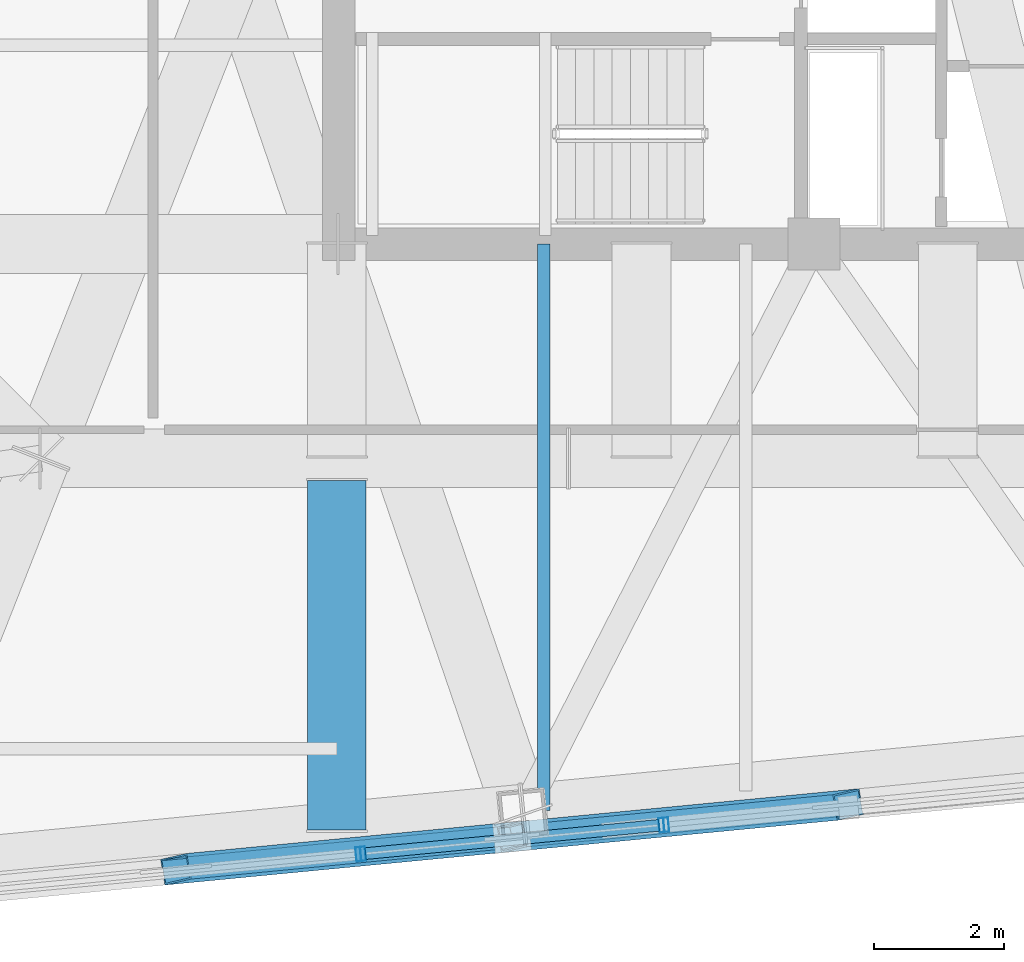
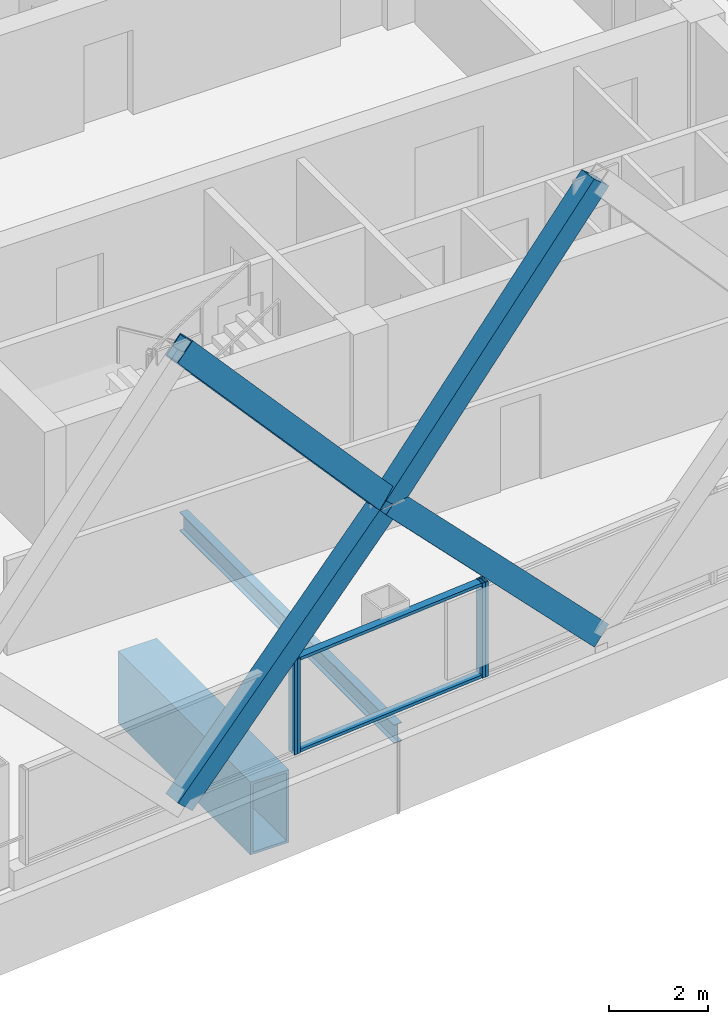
# One storey, part 5 of 37: 10 members, 2 beams, 3 elements without a shape of their own.
"""IFC4 building model written with IfcOpenShell, lengths in metres."""

from ifc_helpers import new_model, si_unit, direction, frame, origin, origin_2d, place, context, subcontext, project, spatial, hollow_rectangle, i_section, extrude, material, layer, layer_set, material_profile, profile_set, type_object, element, aggregate, save


model = new_model("IFC4")

# Units and contexts
model_context = context("Model", 3, precision=1e-05, world=origin(), true_north=direction((0.0, 1.0)))
body_context = subcontext(model_context, "Body", "Model", "MODEL_VIEW")
ifc_project = project(units=[si_unit("LENGTHUNIT", "METRE"), si_unit("AREAUNIT", "SQUARE_METRE"), si_unit("VOLUMEUNIT", "CUBIC_METRE"), si_unit("PLANEANGLEUNIT", "RADIAN"), si_unit("MASSUNIT", "GRAM", prefix="KILO")], contexts=[model_context])

# Site, building, storey
site_placement = place(None, origin())
site = spatial("IfcSite", under=ifc_project, at=site_placement, CompositionType="ELEMENT")
building_placement = place(site_placement, origin())
building = spatial("IfcBuilding", under=site, at=building_placement, Name="Qhalaya Broadcast Tower", CompositionType="ELEMENT")
storey_placement = place(building_placement, frame((0.0, 0.0, 156.14990234375)))
storey = spatial("IfcBuildingStorey", under=building, at=storey_placement, Name="L45", CompositionType="ELEMENT", Elevation=156.14990234375)

# Beams
ifc_material_1 = material(Name="Structural Steel ASTM A572 Grade 50", Category="steel")
ifc_material_profile_1 = material_profile(ifc_material_1, hollow_rectangle(XDim=0.89990234375, YDim=1.800048828125, WallThickness=0.06005859375, at=origin_2d()), Name="BOX 900x1800x60")
ifc_profile_set_1 = profile_set([ifc_material_profile_1], Name="Structural Steel ASTM A572 Grade 50")
beam_type_1 = type_object("IfcBeamType", Name="Block Cantilever Transfer Box Girder TG1", PredefinedType="USERDEFINED", material=ifc_profile_set_1)
beam_1_placement = place(storey_placement, frame((-9.375, -17.747314453125, -1.119873046875), z_axis=(0.0, 1.0, 0.0), x_axis=(-1.0, 0.0, 0.0)))
element("IfcBeam", 1, at=beam_1_placement, inside=storey, type_object=beam_type_1, Name="L45 TG1 L45-PGXS1-OV1", ObjectType="GIRDER", PredefinedType="USERDEFINED", context=body_context, shape_type="SweptSolid", body=[
    extrude(hollow_rectangle(XDim=0.89990234375, YDim=1.800048828125, WallThickness=0.06005859375, at=origin_2d()), origin(), (0.0, 0.0, 1.0), 5.367431640625),
])
ifc_material_2 = material(Name="Structural Steel ASTM A992 Grade 50", Category="steel")
ifc_material_profile_2 = material_profile(ifc_material_2, i_section(OverallWidth=0.19189453125, OverallDepth=0.462890625, WebThickness=0.010498046875, FlangeThickness=0.017578125, at=origin_2d()), Name="W18X60")
ifc_profile_set_2 = profile_set([ifc_material_profile_2], Name="Structural Steel ASTM A992 Grade 50")
beam_type_2 = type_object("IfcBeamType", Name="Composite Floor Joist J03", PredefinedType="JOIST", material=ifc_profile_set_2)
beam_2_placement = place(storey_placement, frame((-6.199951171875, -17.441650390625, -0.451416015625), z_axis=(0.0, 1.0, 0.0), x_axis=(-1.0, 0.0, 0.0)))
element("IfcBeam", 2, at=beam_2_placement, inside=storey, type_object=beam_type_2, Name="L45 J03 L45-JNS1-1", PredefinedType="JOIST", context=body_context, shape_type="SweptSolid", body=[
    extrude(i_section(OverallWidth=0.19189453125, OverallDepth=0.462890625, WebThickness=0.010498046875, FlangeThickness=0.017578125, at=origin_2d()), origin(), (0.0, 0.0, 1.0), 8.691650390625),
])

# Members
ifc_material_profile_3 = material_profile(ifc_material_1, hollow_rectangle(XDim=0.39990234375, YDim=0.550048828125, WallThickness=0.02490234375, at=origin_2d()), Name="BOX 400x550x25")
ifc_profile_set_3 = profile_set([ifc_material_profile_3], Name="Structural Steel ASTM A572 Grade 50")
member_type_1 = type_object("IfcMemberType", Name="Exoskeleton Diamond Diagonal Mid-High EX3", PredefinedType="BRACE", material=ifc_profile_set_3)
member_1_placement = place(storey_placement, frame((-11.84716796875, -18.346923828125, 0.360107421875), z_axis=(0.690631901239, 0.066504325889, 0.720142174594), x_axis=(-0.164115000923, 0.984197121098, 0.066500325516)))
element("IfcMember", 3, at=member_1_placement, inside=storey, type_object=member_type_1, Name="B4 Exoskeleton Diamond Brace S1-D2", PredefinedType="BRACE", context=body_context, shape_type="SweptSolid", body=[
    extrude(hollow_rectangle(XDim=0.39990234375, YDim=0.550048828125, WallThickness=0.02490234375, at=origin_2d()), origin(), (0.0, 0.0, 1.0), 7.470703125),
])
member_2_placement = place(storey_placement, frame((-6.687744140625, -17.85009765625, 5.739990234375), z_axis=(-0.659476642868, -0.06350423358, 0.749037896123), x_axis=(0.166871781183, -0.983931657235, 0.063500413668)))
element("IfcMember", 4, at=member_2_placement, inside=storey, type_object=member_type_1, Name="B4 Exoskeleton Diamond Brace S1-D4", PredefinedType="BRACE", context=body_context, shape_type="SweptSolid", body=[
    extrude(hollow_rectangle(XDim=0.39990234375, YDim=0.550048828125, WallThickness=0.02490234375, at=origin_2d()), origin(), (0.0, 0.0, 1.0), 7.823486328125),
])
member_3_placement = place(storey_placement, frame((-1.5283203125, -17.353515625, 0.360107421875), z_axis=(-0.690633401879, -0.066471790064, 0.720143739356), x_axis=(0.164069006121, -0.984204800151, 0.066500169852)))
element("IfcMember", 5, at=member_3_placement, inside=storey, type_object=member_type_1, Name="B4 Exoskeleton Diamond Brace S2-D1", PredefinedType="BRACE", context=body_context, shape_type="SweptSolid", body=[
    extrude(hollow_rectangle(XDim=0.39990234375, YDim=0.550048828125, WallThickness=0.02490234375, at=origin_2d()), origin(), (0.0, 0.0, 1.0), 7.470458984375),
])
member_4_placement = place(storey_placement, frame((-6.687744140625, -17.85009765625, 5.739990234375), z_axis=(0.659477949445, 0.063473153323, 0.749039380142), x_axis=(-0.166825791121, 0.98393946628, 0.063500252858)))
element("IfcMember", 6, at=member_4_placement, inside=storey, type_object=member_type_1, Name="B4 Exoskeleton Diamond Brace S2-D3", PredefinedType="BRACE", context=body_context, shape_type="SweptSolid", body=[
    extrude(hollow_rectangle(XDim=0.39990234375, YDim=0.550048828125, WallThickness=0.02490234375, at=origin_2d()), origin(), (0.0, 0.0, 1.0), 7.823486328125),
])

# Curtain wall, member
ifc_material_3 = material(Name="Fired Architectural Terracotta", Category="masonry")
ifc_layer_1 = layer(ifc_material_3, 0.219970703125, Name="Fired Architectural Terracotta")
ifc_layer_set_1 = layer_set([ifc_layer_1], Name="Fired Architectural Terracotta")
curtain_wall_type_1 = type_object("IfcCurtainWallType", Name="Block-Cap Unitised Terracotta Spandrel Wall CW-07", PredefinedType="NOTDEFINED", material=ifc_layer_set_1)
curtain_wall_1_placement = place(storey_placement, origin())
curtain_wall_1 = element("IfcCurtainWall", 7, at=curtain_wall_1_placement, inside=storey, type_object=curtain_wall_type_1, Name="L45 Unitised Curtain Wall L45-CW-S1", PredefinedType="NOTDEFINED")
ifc_material_4 = material(Name="Anodised Aluminium 6063-T6", Category="aluminium")
ifc_material_profile_4 = material_profile(ifc_material_4, hollow_rectangle(XDim=0.074951171875, YDim=0.219970703125, WallThickness=0.00390625, at=origin_2d()), Name="ALU-MUL 75x220x4")
ifc_profile_set_4 = profile_set([ifc_material_profile_4], Name="Anodised Aluminium 6063-T6")
member_type_2 = type_object("IfcMemberType", Name="Unitised Curtain-Wall Mullion M01", PredefinedType="MULLION", material=ifc_profile_set_4)
member_5_placement = place(storey_placement, frame((-9.047119140625, -18.11767578125, 0.47998046875), z_axis=(0.0, 0.0, 1.0), x_axis=(0.99539669829, 0.095840560477, 0.0)))
member_5 = element("IfcMember", 8, at=member_5_placement, type_object=member_type_2, Name="CW-07 mullion 2", PredefinedType="MULLION", context=body_context, shape_type="SweptSolid", body=[
    extrude(hollow_rectangle(XDim=0.074951171875, YDim=0.219970703125, WallThickness=0.00390625, at=origin_2d()), origin(), (0.0, 0.0, 1.0), 2.35009765625),
])
aggregate(curtain_wall_1, [member_5])

# Curtain wall, members
ifc_material_5 = material(Name="Solar-Control Low-E Triple Glazing", Category="glass")
ifc_layer_2 = layer(ifc_material_5, 0.219970703125, Name="Solar-Control Low-E Triple Glazing")
ifc_layer_set_2 = layer_set([ifc_layer_2], Name="Solar-Control Low-E Triple Glazing")
curtain_wall_type_2 = type_object("IfcCurtainWallType", Name="Even-Block 4-Storey Double-Module Curtain Wall CW-03", PredefinedType="NOTDEFINED", material=ifc_layer_set_2)
curtain_wall_2_placement = place(storey_placement, origin())
curtain_wall_2 = element("IfcCurtainWall", 9, at=curtain_wall_2_placement, inside=storey, type_object=curtain_wall_type_2, Name="L45 Unitised Curtain Wall L45-CW-S2", PredefinedType="NOTDEFINED")
member_6_placement = place(storey_placement, frame((-8.972412109375, -18.1103515625, 0.47998046875), z_axis=(0.0, 0.0, 1.0), x_axis=(0.995395888038, 0.095848975357, 0.0)))
member_6 = element("IfcMember", 10, at=member_6_placement, type_object=member_type_2, Name="CW-03 mullion 1", PredefinedType="MULLION", context=body_context, shape_type="SweptSolid", body=[
    extrude(hollow_rectangle(XDim=0.074951171875, YDim=0.219970703125, WallThickness=0.00390625, at=origin_2d()), origin(), (0.0, 0.0, 1.0), 2.35009765625),
])
member_7_placement = place(storey_placement, frame((-4.39453125, -17.669677734375, 0.47998046875), z_axis=(0.0, 0.0, 1.0), x_axis=(0.995395888038, 0.095848975357, 0.0)))
member_7 = element("IfcMember", 11, at=member_7_placement, type_object=member_type_2, Name="CW-03 mullion 2", PredefinedType="MULLION", context=body_context, shape_type="SweptSolid", body=[
    extrude(hollow_rectangle(XDim=0.074951171875, YDim=0.219970703125, WallThickness=0.00390625, at=origin_2d()), origin(), (0.0, 0.0, 1.0), 2.35009765625),
])

# Curtain wall, member
curtain_wall_3_placement = place(storey_placement, origin())
curtain_wall_3 = element("IfcCurtainWall", 12, at=curtain_wall_3_placement, inside=storey, type_object=curtain_wall_type_1, Name="L45 Unitised Curtain Wall L45-CW-S3", PredefinedType="NOTDEFINED")
member_8_placement = place(storey_placement, frame((-4.31982421875, -17.662353515625, 0.47998046875), z_axis=(0.0, 0.0, 1.0), x_axis=(0.995395435525, 0.095853674613, 0.0)))
member_8 = element("IfcMember", 13, at=member_8_placement, type_object=member_type_2, Name="CW-07 mullion 1", PredefinedType="MULLION", context=body_context, shape_type="SweptSolid", body=[
    extrude(hollow_rectangle(XDim=0.074951171875, YDim=0.219970703125, WallThickness=0.00390625, at=origin_2d()), origin(), (0.0, 0.0, 1.0), 2.35009765625),
])
aggregate(curtain_wall_3, [member_8])

# Member
ifc_material_profile_5 = material_profile(ifc_material_4, hollow_rectangle(XDim=0.074951171875, YDim=0.179931640625, WallThickness=0.00390625, at=origin_2d()), Name="ALU-TRN 75x180x4")
ifc_profile_set_5 = profile_set([ifc_material_profile_5], Name="Anodised Aluminium 6063-T6")
member_type_3 = type_object("IfcMemberType", Name="Unitised Curtain-Wall Transom T01", PredefinedType="USERDEFINED", material=ifc_profile_set_5)
member_9_placement = place(storey_placement, frame((-8.93505859375, -18.106689453125, 0.517578125), z_axis=(0.995396463484, 0.095842999141, 0.0), x_axis=(0.0, 0.0, 1.0)))
member_9 = element("IfcMember", 14, at=member_9_placement, type_object=member_type_3, Name="CW-03 transom 1.1", ObjectType="TRANSOM", PredefinedType="USERDEFINED", context=body_context, shape_type="SweptSolid", body=[
    extrude(hollow_rectangle(XDim=0.074951171875, YDim=0.179931640625, WallThickness=0.00390625, at=origin_2d()), origin(), (0.0, 0.0, 1.0), 4.52392578125),
])

member_10_placement = place(storey_placement, frame((-8.93505859375, -18.106689453125, 2.79248046875), z_axis=(0.995396463484, 0.095842999141, 0.0), x_axis=(0.0, 0.0, 1.0)))
member_10 = element("IfcMember", 15, at=member_10_placement, type_object=member_type_3, Name="CW-03 transom 1.2", ObjectType="TRANSOM", PredefinedType="USERDEFINED", context=body_context, shape_type="SweptSolid", body=[
    extrude(hollow_rectangle(XDim=0.074951171875, YDim=0.179931640625, WallThickness=0.00390625, at=origin_2d()), origin(), (0.0, 0.0, 1.0), 4.52392578125),
])

aggregate(curtain_wall_2, [member_6, member_7, member_9, member_10])

save(model, "model.ifc")
